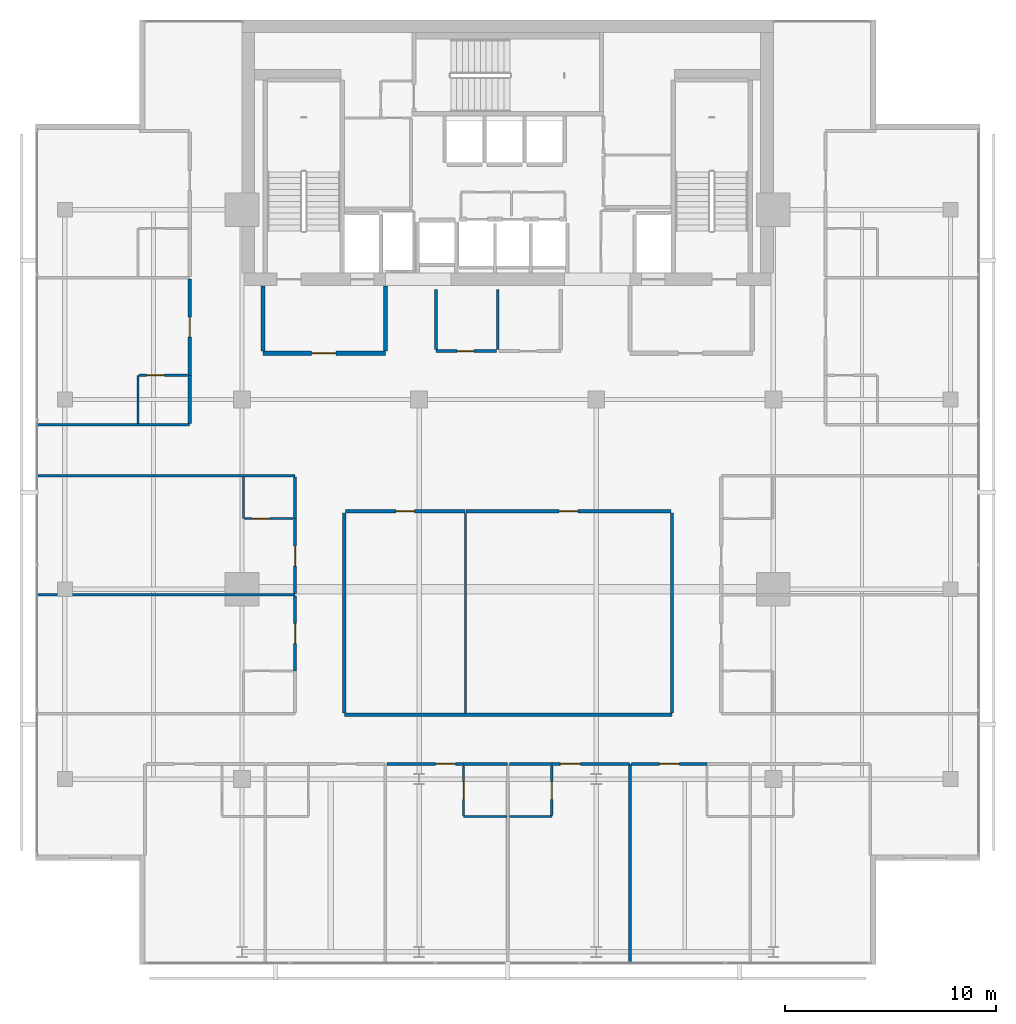
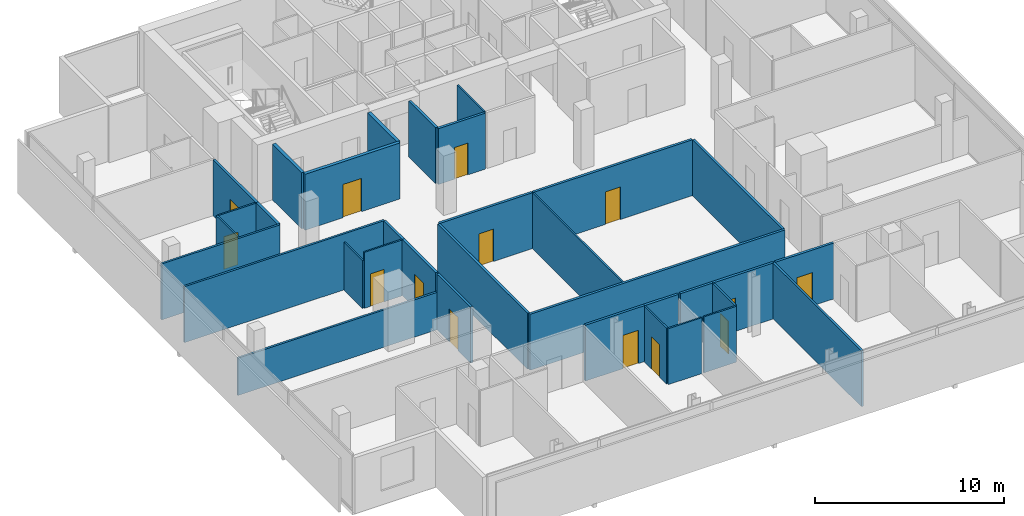
# One storey, part 20 of 26: 34 walls, 14 doors, 14 openings.
"""IFC4 building model written with IfcOpenShell, lengths in metres."""

from ifc_helpers import new_model, si_unit, direction, frame, frame_2d, origin, place, context, subcontext, project, spatial, rectangle, extrude, material, layer, layer_set, type_object, element, fill, save


model = new_model("IFC4")

# Units and contexts
model_context = context("Model", 3, precision=1e-05, world=origin(), true_north=direction((0.0, 1.0)))
body_context = subcontext(model_context, "Body", "Model", "MODEL_VIEW")
ifc_project = project(units=[si_unit("LENGTHUNIT", "METRE"), si_unit("AREAUNIT", "SQUARE_METRE"), si_unit("VOLUMEUNIT", "CUBIC_METRE"), si_unit("PLANEANGLEUNIT", "RADIAN"), si_unit("MASSUNIT", "GRAM", prefix="KILO")], contexts=[model_context])

# Site, building, storey
site_placement = place(None, origin())
site = spatial("IfcSite", under=ifc_project, at=site_placement, CompositionType="ELEMENT")
building_placement = place(site_placement, origin())
building = spatial("IfcBuilding", under=site, at=building_placement, Name="Maruvema Waterfront Hotel and Observation Tower", CompositionType="ELEMENT")
storey_placement = place(building_placement, frame((0.0, 0.0, 243.25)))
storey = spatial("IfcBuildingStorey", under=building, at=storey_placement, Name="L59", CompositionType="ELEMENT", Elevation=243.25)

# Wall, opening, door
ifc_material_1 = material(Name="Twin-stud acoustic gypsum drywall", Category="gypsum")
ifc_layer_1 = layer(ifc_material_1, 0.14990234375, Name="Acoustic Corridor and Suite Demising Wall 150 mm")
ifc_layer_set_1 = layer_set([ifc_layer_1], Name="Twin-stud acoustic gypsum drywall")
wall_type_1 = type_object("IfcWallType", Name="Acoustic Corridor and Suite Demising Wall 150 mm", PredefinedType="PARTITIONING", material=ifc_layer_set_1)
wall_1_placement = place(storey_placement, frame((34.39990234375, 38.300048828125, 0.0), z_axis=(0.0, 0.0, 1.0), x_axis=(1.0, 0.0, 0.0)))
wall_1 = element("IfcWall", 1, at=wall_1_placement, inside=storey, type_object=wall_type_1, Name="L59 Core Apron K2A South 026", PredefinedType="PARTITIONING", context=body_context, shape_type="SweptSolid", body=[
    extrude(rectangle(XDim=2.880126953125, YDim=0.14990234375, at=frame_2d((1.43994140625, 0.0))), origin(), (0.0, 0.0, 1.0), 3.610107421875),
])
opening_1_placement = place(wall_1_placement, frame((1.0, 0.0, 0.0)))
opening_1 = element("IfcOpeningElement", 2, at=opening_1_placement, cuts=wall_1, Name="Opening DR-080", PredefinedType="OPENING", context=body_context, shape_type="SweptSolid", body=[
    extrude(rectangle(XDim=0.800048828125, YDim=2.050048828125, at=frame_2d((0.39990234375, 1.02490234375))), frame((0.0, 0.0849609375, 0.0), z_axis=(0.0, -1.0, 0.0), x_axis=(1.0, 0.0, 0.0)), (0.0, 0.0, 1.0), 0.169921875),
])
ifc_material_2 = material(Name="Powder-coated steel access leaf", Category="steel")
door_type_1 = type_object("IfcDoorType", Name="Riser and Service Cupboard Door 800x2050 mm", OperationType="NOTDEFINED", PredefinedType="DOOR", material=ifc_material_2)
door_1_placement = place(opening_1_placement, frame((0.800048828125, 0.0, 0.0), z_axis=(0.0, 0.0, 1.0), x_axis=(-1.0, 0.0, 0.0)))
door_1 = element("IfcDoor", 3, at=door_1_placement, inside=storey, type_object=door_type_1, Name="L59 Core Ice Alcove Door", OperationType="SINGLE_SWING_RIGHT", OverallHeight=2.050048828125, OverallWidth=0.800048828125, PredefinedType="DOOR", context=body_context, shape_type="SweptSolid", body=[
    extrude(rectangle(XDim=0.800048828125, YDim=2.050048828125, at=frame_2d((0.39990234375, 1.02490234375))), frame((0.0, 0.02490234375, 0.0), z_axis=(0.0, -1.0, 0.0), x_axis=(1.0, 0.0, 0.0)), (0.0, 0.0, 1.0), 0.050048828125),
])
fill(opening_1, door_1)

# Walls
wall_2_placement = place(storey_placement, frame((34.39990234375, 38.3798828125, 0.0), z_axis=(0.0, 0.0, 1.0), x_axis=(0.0, 1.0, 0.0)))
element("IfcWall", 4, at=wall_2_placement, inside=storey, type_object=wall_type_1, Name="L59 Core Apron K2 West 028", PredefinedType="PARTITIONING", context=body_context, shape_type="SweptSolid", body=[
    extrude(rectangle(XDim=2.840087890625, YDim=0.14990234375, at=frame_2d((1.419921875, 0.0))), origin(), (0.0, 0.0, 1.0), 3.610107421875),
])
wall_3_placement = place(storey_placement, frame((30.050048828125, 21.050048828125, 0.0), z_axis=(0.0, 0.0, 1.0), x_axis=(1.0, 0.0, 0.0)))
element("IfcWall", 5, at=wall_3_placement, inside=storey, type_object=wall_type_1, Name="L59 L59-Z3M Back Wall 031", PredefinedType="PARTITIONING", context=body_context, shape_type="SweptSolid", body=[
    extrude(rectangle(XDim=15.550048828125, YDim=0.14990234375, at=frame_2d((7.77490234375, 0.0))), origin(), (0.0, 0.0, 1.0), 3.610107421875),
])
for number, where, z_axis, x_axis, name in (
    (6, (30.050048828125, 21.1298828125, 0.0), (0.0, 0.0, 1.0), (0.0, 1.0, 0.0), "L59 L59-Z3M West Wall 032"),
    (7, (45.60009765625, 21.1298828125, 0.0), (0.0, 0.0, 1.0), (0.0, 1.0, 0.0), "L59 L59-Z3M East Wall 033"),
):
    element("IfcWall", number, at=place(storey_placement, frame(where, z_axis=z_axis, x_axis=x_axis)), inside=storey, type_object=wall_type_1, Name=name, PredefinedType="PARTITIONING", context=body_context, shape_type="SweptSolid", body=[
        extrude(rectangle(XDim=9.490234375, YDim=0.14990234375, at=frame_2d((4.7451171875, 0.0))), origin(), (0.0, 0.0, 1.0), 3.610107421875),
    ])

# Wall, opening, door
wall_4_placement = place(storey_placement, frame((30.110107421875, 30.699951171875, 0.0), z_axis=(0.0, 0.0, 1.0), x_axis=(1.0, 0.0, 0.0)))
wall_4 = element("IfcWall", 8, at=wall_4_placement, inside=storey, type_object=wall_type_1, Name="L59 L59-Z3M Front 1 034", PredefinedType="PARTITIONING", context=body_context, shape_type="SweptSolid", body=[
    extrude(rectangle(XDim=5.663330078125, YDim=0.14990234375, at=frame_2d((2.83154296875, 0.0))), origin(), (0.0, 0.0, 1.0), 3.610107421875),
])
opening_2_placement = place(wall_4_placement, frame((2.381591796875, 0.0, 0.0)))
opening_2 = element("IfcOpeningElement", 9, at=opening_2_placement, cuts=wall_4, Name="Opening DR-090", PredefinedType="OPENING", context=body_context, shape_type="SweptSolid", body=[
    extrude(rectangle(XDim=0.89990234375, YDim=2.10009765625, at=frame_2d((0.449951171875, 1.050048828125))), frame((0.0, 0.0849609375, 0.0), z_axis=(0.0, -1.0, 0.0), x_axis=(1.0, 0.0, 0.0)), (0.0, 0.0, 1.0), 0.169921875),
])
ifc_material_3 = material(Name="Solid-core lacquered timber leaf", Category="wood")
door_type_2 = type_object("IfcDoorType", Name="Accessible Toilet and Room Door 900x2100 mm", OperationType="NOTDEFINED", PredefinedType="DOOR", material=ifc_material_3)
door_2_placement = place(opening_2_placement, origin())
door_2 = element("IfcDoor", 10, at=door_2_placement, inside=storey, type_object=door_type_2, Name="L59 Butler Kitchenette Door", OperationType="SINGLE_SWING_RIGHT", OverallHeight=2.10009765625, OverallWidth=0.89990234375, PredefinedType="DOOR", context=body_context, shape_type="SweptSolid", body=[
    extrude(rectangle(XDim=0.89990234375, YDim=2.10009765625, at=frame_2d((0.449951171875, 1.050048828125))), frame((0.0, 0.02490234375, 0.0), z_axis=(0.0, -1.0, 0.0), x_axis=(1.0, 0.0, 0.0)), (0.0, 0.0, 1.0), 0.050048828125),
])
fill(opening_2, door_2)

wall_5_placement = place(storey_placement, frame((35.83349609375, 30.699951171875, 0.0), z_axis=(0.0, 0.0, 1.0), x_axis=(1.0, 0.0, 0.0)))
wall_5 = element("IfcWall", 11, at=wall_5_placement, inside=storey, type_object=wall_type_1, Name="L59 L59-Z3M Front 2 036", PredefinedType="PARTITIONING", context=body_context, shape_type="SweptSolid", body=[
    extrude(rectangle(XDim=9.70654296875, YDim=0.14990234375, at=frame_2d((4.853271484375, 0.0))), origin(), (0.0, 0.0, 1.0), 3.610107421875),
])
opening_3_placement = place(wall_5_placement, frame((4.4033203125, 0.0, 0.0)))
opening_3 = element("IfcOpeningElement", 12, at=opening_3_placement, cuts=wall_5, Name="Opening DR-090", PredefinedType="OPENING", context=body_context, shape_type="SweptSolid", body=[
    extrude(rectangle(XDim=0.89990234375, YDim=2.10009765625, at=frame_2d((0.449951171875, 1.050048828125))), frame((0.0, 0.0849609375, 0.0), z_axis=(0.0, -1.0, 0.0), x_axis=(1.0, 0.0, 0.0)), (0.0, 0.0, 1.0), 0.169921875),
])
door_3_placement = place(opening_3_placement, origin())
door_3 = element("IfcDoor", 13, at=door_3_placement, inside=storey, type_object=door_type_2, Name="L59 Business Office 1 Door", OperationType="SINGLE_SWING_LEFT", OverallHeight=2.10009765625, OverallWidth=0.89990234375, PredefinedType="DOOR", context=body_context, shape_type="SweptSolid", body=[
    extrude(rectangle(XDim=0.89990234375, YDim=2.10009765625, at=frame_2d((0.449951171875, 1.050048828125))), frame((0.0, 0.02490234375, 0.0), z_axis=(0.0, -1.0, 0.0), x_axis=(1.0, 0.0, 0.0)), (0.0, 0.0, 1.0), 0.050048828125),
])
fill(opening_3, door_3)

# Wall
wall_6_placement = place(storey_placement, frame((35.7099609375, 18.719970703125, 0.0), z_axis=(0.0, 0.0, 1.0), x_axis=(1.0, 0.0, 0.0)))
element("IfcWall", 14, at=wall_6_placement, inside=storey, type_object=wall_type_1, Name="L59 Bath L59-S3 Back Wall 049", PredefinedType="PARTITIONING", context=body_context, shape_type="SweptSolid", body=[
    extrude(rectangle(XDim=2.070068359375, YDim=0.14990234375, at=frame_2d((1.03515625, 0.0))), origin(), (0.0, 0.0, 1.0), 3.610107421875),
])

# Wall, opening, door
wall_7_placement = place(storey_placement, frame((32.080078125, 18.719970703125, 0.0), z_axis=(0.0, 0.0, 1.0), x_axis=(1.0, 0.0, 0.0)))
wall_7 = element("IfcWall", 15, at=wall_7_placement, inside=storey, type_object=wall_type_1, Name="L59 Unit L59-S3 Corridor Wall 052", PredefinedType="PARTITIONING", context=body_context, shape_type="SweptSolid", body=[
    extrude(rectangle(XDim=3.6298828125, YDim=0.14990234375, at=frame_2d((1.81494140625, 0.0))), origin(), (0.0, 0.0, 1.0), 3.610107421875),
])
opening_4_placement = place(wall_7_placement, frame((2.300048828125, 0.0, 0.0)))
opening_4 = element("IfcOpeningElement", 16, at=opening_4_placement, cuts=wall_7, Name="Opening DR-095", PredefinedType="OPENING", context=body_context, shape_type="SweptSolid", body=[
    extrude(rectangle(XDim=0.949951171875, YDim=2.14990234375, at=frame_2d((0.47509765625, 1.074951171875))), frame((0.0, 0.0849609375, 0.0), z_axis=(0.0, -1.0, 0.0), x_axis=(1.0, 0.0, 0.0)), (0.0, 0.0, 1.0), 0.169921875),
])
ifc_material_4 = material(Name="Acoustic solid-core hardwood timber leaf", Category="wood")
door_type_3 = type_object("IfcDoorType", Name="Guestroom Entrance Fire Door 950x2150 mm", OperationType="NOTDEFINED", PredefinedType="DOOR", material=ifc_material_4)
door_4_placement = place(opening_4_placement, frame((0.949951171875, 0.0, 0.0), z_axis=(0.0, 0.0, 1.0), x_axis=(-1.0, 0.0, 0.0)))
door_4 = element("IfcDoor", 17, at=door_4_placement, inside=storey, type_object=door_type_3, Name="L59 Unit L59-S3 Entrance Door", OperationType="SINGLE_SWING_LEFT", OverallHeight=2.14990234375, OverallWidth=0.949951171875, PredefinedType="DOOR", context=body_context, shape_type="SweptSolid", body=[
    extrude(rectangle(XDim=0.949951171875, YDim=2.14990234375, at=frame_2d((0.47509765625, 1.074951171875))), frame((0.0, 0.02490234375, 0.0), z_axis=(0.0, -1.0, 0.0), x_axis=(1.0, 0.0, 0.0)), (0.0, 0.0, 1.0), 0.050048828125),
])
fill(opening_4, door_4)

# Wall
wall_8_placement = place(storey_placement, frame((37.8798828125, 18.719970703125, 0.0), z_axis=(0.0, 0.0, 1.0), x_axis=(1.0, 0.0, 0.0)))
element("IfcWall", 18, at=wall_8_placement, inside=storey, type_object=wall_type_1, Name="L59 Bath L59-S4 Back Wall 054", PredefinedType="PARTITIONING", context=body_context, shape_type="SweptSolid", body=[
    extrude(rectangle(XDim=2.010009765625, YDim=0.14990234375, at=frame_2d((1.0048828125, 0.0))), origin(), (0.0, 0.0, 1.0), 3.610107421875),
])

# Wall, opening, door
wall_9_placement = place(storey_placement, frame((39.889892578125, 18.719970703125, 0.0), z_axis=(0.0, 0.0, 1.0), x_axis=(1.0, 0.0, 0.0)))
wall_9 = element("IfcWall", 19, at=wall_9_placement, inside=storey, type_object=wall_type_1, Name="L59 Unit L59-S4 Corridor Wall 057", PredefinedType="PARTITIONING", context=body_context, shape_type="SweptSolid", body=[
    extrude(rectangle(XDim=3.690185546875, YDim=0.14990234375, at=frame_2d((1.84521484375, 0.0))), origin(), (0.0, 0.0, 1.0), 3.610107421875),
])
opening_5_placement = place(wall_9_placement, frame((0.409912109375, 0.0, 0.0)))
opening_5 = element("IfcOpeningElement", 20, at=opening_5_placement, cuts=wall_9, Name="Opening DR-095", PredefinedType="OPENING", context=body_context, shape_type="SweptSolid", body=[
    extrude(rectangle(XDim=0.949951171875, YDim=2.14990234375, at=frame_2d((0.47509765625, 1.074951171875))), frame((0.0, 0.0849609375, 0.0), z_axis=(0.0, -1.0, 0.0), x_axis=(1.0, 0.0, 0.0)), (0.0, 0.0, 1.0), 0.169921875),
])
door_5_placement = place(opening_5_placement, frame((0.949951171875, 0.0, 0.0), z_axis=(0.0, 0.0, 1.0), x_axis=(-1.0, 0.0, 0.0)))
door_5 = element("IfcDoor", 21, at=door_5_placement, inside=storey, type_object=door_type_3, Name="L59 Unit L59-S4 Entrance Door", OperationType="SINGLE_SWING_LEFT", OverallHeight=2.14990234375, OverallWidth=0.949951171875, PredefinedType="DOOR", context=body_context, shape_type="SweptSolid", body=[
    extrude(rectangle(XDim=0.949951171875, YDim=2.14990234375, at=frame_2d((0.47509765625, 1.074951171875))), frame((0.0, 0.02490234375, 0.0), z_axis=(0.0, -1.0, 0.0), x_axis=(1.0, 0.0, 0.0)), (0.0, 0.0, 1.0), 0.050048828125),
])
fill(opening_5, door_5)

wall_10_placement = place(storey_placement, frame((43.679931640625, 18.719970703125, 0.0), z_axis=(0.0, 0.0, 1.0), x_axis=(1.0, 0.0, 0.0)))
wall_10 = element("IfcWall", 22, at=wall_10_placement, inside=storey, type_object=wall_type_1, Name="L59 Unit L59-S5 Corridor Wall 062", PredefinedType="PARTITIONING", context=body_context, shape_type="SweptSolid", body=[
    extrude(rectangle(XDim=3.570068359375, YDim=0.14990234375, at=frame_2d((1.78515625, 0.0))), origin(), (0.0, 0.0, 1.0), 3.610107421875),
])
opening_6_placement = place(wall_10_placement, frame((1.31005859375, 0.0, 0.0)))
opening_6 = element("IfcOpeningElement", 23, at=opening_6_placement, cuts=wall_10, Name="Opening DR-095", PredefinedType="OPENING", context=body_context, shape_type="SweptSolid", body=[
    extrude(rectangle(XDim=0.949951171875, YDim=2.14990234375, at=frame_2d((0.47509765625, 1.074951171875))), frame((0.0, 0.0849609375, 0.0), z_axis=(0.0, -1.0, 0.0), x_axis=(1.0, 0.0, 0.0)), (0.0, 0.0, 1.0), 0.169921875),
])
door_6_placement = place(opening_6_placement, frame((0.949951171875, 0.0, 0.0), z_axis=(0.0, 0.0, 1.0), x_axis=(-1.0, 0.0, 0.0)))
door_6 = element("IfcDoor", 24, at=door_6_placement, inside=storey, type_object=door_type_3, Name="L59 Unit L59-S5 Entrance Door", OperationType="SINGLE_SWING_LEFT", OverallHeight=2.14990234375, OverallWidth=0.949951171875, PredefinedType="DOOR", context=body_context, shape_type="SweptSolid", body=[
    extrude(rectangle(XDim=0.949951171875, YDim=2.14990234375, at=frame_2d((0.47509765625, 1.074951171875))), frame((0.0, 0.02490234375, 0.0), z_axis=(0.0, -1.0, 0.0), x_axis=(1.0, 0.0, 0.0)), (0.0, 0.0, 1.0), 0.050048828125),
])
fill(opening_6, door_6)

wall_11_placement = place(storey_placement, frame((27.719970703125, 23.1298828125, 0.0), z_axis=(0.0, 0.0, 1.0), x_axis=(0.0, 1.0, 0.0)))
wall_11 = element("IfcWall", 25, at=wall_11_placement, inside=storey, type_object=wall_type_1, Name="L59 Room L59-W1 Corridor Wall 073", PredefinedType="PARTITIONING", context=body_context, shape_type="SweptSolid", body=[
    extrude(rectangle(XDim=3.550048828125, YDim=0.14990234375, at=frame_2d((1.77490234375, 0.0))), origin(), (0.0, 0.0, 1.0), 3.610107421875),
])
opening_7_placement = place(wall_11_placement, frame((1.300048828125, 0.0, 0.0)))
opening_7 = element("IfcOpeningElement", 26, at=opening_7_placement, cuts=wall_11, Name="Opening DR-095", PredefinedType="OPENING", context=body_context, shape_type="SweptSolid", body=[
    extrude(rectangle(XDim=0.949951171875, YDim=2.14990234375, at=frame_2d((0.47509765625, 1.074951171875))), frame((0.0, 0.0849609375, 0.0), z_axis=(0.0, -1.0, 0.0), x_axis=(1.0, 0.0, 0.0)), (0.0, 0.0, 1.0), 0.169921875),
])
door_7_placement = place(opening_7_placement, origin())
door_7 = element("IfcDoor", 27, at=door_7_placement, inside=storey, type_object=door_type_3, Name="L59 Room L59-W1 Entrance Door", OperationType="SINGLE_SWING_LEFT", OverallHeight=2.14990234375, OverallWidth=0.949951171875, PredefinedType="DOOR", context=body_context, shape_type="SweptSolid", body=[
    extrude(rectangle(XDim=0.949951171875, YDim=2.14990234375, at=frame_2d((0.47509765625, 1.074951171875))), frame((0.0, 0.02490234375, 0.0), z_axis=(0.0, -1.0, 0.0), x_axis=(1.0, 0.0, 0.0)), (0.0, 0.0, 1.0), 0.050048828125),
])
fill(opening_7, door_7)

wall_12_placement = place(storey_placement, frame((27.719970703125, 26.800048828125, 0.0), z_axis=(0.0, 0.0, 1.0), x_axis=(0.0, 1.0, 0.0)))
wall_12 = element("IfcWall", 28, at=wall_12_placement, inside=storey, type_object=wall_type_1, Name="L59 Room L59-W2 Corridor Wall 082", PredefinedType="PARTITIONING", context=body_context, shape_type="SweptSolid", body=[
    extrude(rectangle(XDim=3.550048828125, YDim=0.14990234375, at=frame_2d((1.77490234375, 0.0))), origin(), (0.0, 0.0, 1.0), 3.610107421875),
])
opening_8_placement = place(wall_12_placement, frame((1.300048828125, 0.0, 0.0)))
opening_8 = element("IfcOpeningElement", 29, at=opening_8_placement, cuts=wall_12, Name="Opening DR-095", PredefinedType="OPENING", context=body_context, shape_type="SweptSolid", body=[
    extrude(rectangle(XDim=0.949951171875, YDim=2.14990234375, at=frame_2d((0.47509765625, 1.074951171875))), frame((0.0, 0.0849609375, 0.0), z_axis=(0.0, -1.0, 0.0), x_axis=(1.0, 0.0, 0.0)), (0.0, 0.0, 1.0), 0.169921875),
])
door_8_placement = place(opening_8_placement, origin())
door_8 = element("IfcDoor", 30, at=door_8_placement, inside=storey, type_object=door_type_3, Name="L59 Room L59-W2 Entrance Door", OperationType="SINGLE_SWING_LEFT", OverallHeight=2.14990234375, OverallWidth=0.949951171875, PredefinedType="DOOR", context=body_context, shape_type="SweptSolid", body=[
    extrude(rectangle(XDim=0.949951171875, YDim=2.14990234375, at=frame_2d((0.47509765625, 1.074951171875))), frame((0.0, 0.02490234375, 0.0), z_axis=(0.0, -1.0, 0.0), x_axis=(1.0, 0.0, 0.0)), (0.0, 0.0, 1.0), 0.050048828125),
])
fill(opening_8, door_8)

# Walls
wall_13_placement = place(storey_placement, frame((27.719970703125, 30.35009765625, 0.0), z_axis=(0.0, 0.0, 1.0), x_axis=(0.0, 1.0, 0.0)))
element("IfcWall", 31, at=wall_13_placement, inside=storey, type_object=wall_type_1, Name="L59 Bath L59-W2 Wall 083", PredefinedType="PARTITIONING", context=body_context, shape_type="SweptSolid", body=[
    extrude(rectangle(XDim=1.969970703125, YDim=0.14990234375, at=frame_2d((0.98486328125, 0.0))), origin(), (0.0, 0.0, 1.0), 3.610107421875),
])
wall_14_placement = place(storey_placement, frame((22.719970703125, 34.860107421875, 0.0), z_axis=(0.0, 0.0, 1.0), x_axis=(0.0, 1.0, 0.0)))
element("IfcWall", 32, at=wall_14_placement, inside=storey, type_object=wall_type_1, Name="L59 Bath L59-NW1 Wall 094", PredefinedType="PARTITIONING", context=body_context, shape_type="SweptSolid", body=[
    extrude(rectangle(XDim=2.289794921875, YDim=0.14990234375, at=frame_2d((1.14501953125, 0.0))), origin(), (0.0, 0.0, 1.0), 3.610107421875),
])

# Wall, opening, door
wall_15_placement = place(storey_placement, frame((22.719970703125, 37.14990234375, 0.0), z_axis=(0.0, 0.0, 1.0), x_axis=(0.0, 1.0, 0.0)))
wall_15 = element("IfcWall", 33, at=wall_15_placement, inside=storey, type_object=wall_type_1, Name="L59 Room L59-NW1 Corridor Wall 095", PredefinedType="PARTITIONING", context=body_context, shape_type="SweptSolid", body=[
    extrude(rectangle(XDim=4.558837890625, YDim=0.14990234375, at=frame_2d((2.279296875, 0.0))), origin(), (0.0, 0.0, 1.0), 3.610107421875),
])
opening_9_placement = place(wall_15_placement, frame((1.804443359375, 0.0, 0.0)))
opening_9 = element("IfcOpeningElement", 34, at=opening_9_placement, cuts=wall_15, Name="Opening DR-095", PredefinedType="OPENING", context=body_context, shape_type="SweptSolid", body=[
    extrude(rectangle(XDim=0.949951171875, YDim=2.14990234375, at=frame_2d((0.47509765625, 1.074951171875))), frame((0.0, 0.0849609375, 0.0), z_axis=(0.0, -1.0, 0.0), x_axis=(1.0, 0.0, 0.0)), (0.0, 0.0, 1.0), 0.169921875),
])
door_9_placement = place(opening_9_placement, origin())
door_9 = element("IfcDoor", 35, at=door_9_placement, inside=storey, type_object=door_type_3, Name="L59 Room L59-NW1 Entrance Door", OperationType="SINGLE_SWING_LEFT", OverallHeight=2.14990234375, OverallWidth=0.949951171875, PredefinedType="DOOR", context=body_context, shape_type="SweptSolid", body=[
    extrude(rectangle(XDim=0.949951171875, YDim=2.14990234375, at=frame_2d((0.47509765625, 1.074951171875))), frame((0.0, 0.02490234375, 0.0), z_axis=(0.0, -1.0, 0.0), x_axis=(1.0, 0.0, 0.0)), (0.0, 0.0, 1.0), 0.050048828125),
])
fill(opening_9, door_9)

# Walls
ifc_material_5 = material(Name="Moisture-resistant cement-board drywall", Category="gypsum")
ifc_layer_2 = layer(ifc_material_5, 0.10009765625, Name="En-Suite Moisture-Resistant Partition 100 mm")
ifc_layer_set_2 = layer_set([ifc_layer_2], Name="Moisture-resistant cement-board drywall")
wall_type_2 = type_object("IfcWallType", Name="En-Suite Moisture-Resistant Partition 100 mm", PredefinedType="PARTITIONING", material=ifc_layer_set_2)
wall_16_placement = place(storey_placement, frame((37.330078125, 38.3798828125, 0.0), z_axis=(0.0, 0.0, 1.0), x_axis=(0.0, 1.0, 0.0)))
element("IfcWall", 36, at=wall_16_placement, inside=storey, type_object=wall_type_2, Name="L59 Core Apron K2 Split 029", PredefinedType="PARTITIONING", context=body_context, shape_type="SweptSolid", body=[
    extrude(rectangle(XDim=2.840087890625, YDim=0.10009765625, at=frame_2d((1.419921875, 0.0))), origin(), (0.0, 0.0, 1.0), 3.610107421875),
])
wall_17_placement = place(storey_placement, frame((35.803466796875, 21.1298828125, 0.0), z_axis=(0.0, 0.0, 1.0), x_axis=(0.0, 1.0, 0.0)))
element("IfcWall", 37, at=wall_17_placement, inside=storey, type_object=wall_type_2, Name="L59 L59-Z3M Split 1 035", PredefinedType="PARTITIONING", context=body_context, shape_type="SweptSolid", body=[
    extrude(rectangle(XDim=9.490234375, YDim=0.10009765625, at=frame_2d((4.7451171875, 0.0))), origin(), (0.0, 0.0, 1.0), 3.610107421875),
])
wall_18_placement = place(storey_placement, frame((35.7099609375, 16.219970703125, 0.0), z_axis=(0.0, 0.0, 1.0), x_axis=(1.0, 0.0, 0.0)))
element("IfcWall", 38, at=wall_18_placement, inside=storey, type_object=wall_type_2, Name="L59 En-Suite L59-S3 South 050", PredefinedType="PARTITIONING", context=body_context, shape_type="SweptSolid", body=[
    extrude(rectangle(XDim=2.050048828125, YDim=0.10009765625, at=frame_2d((1.02490234375, 0.0))), origin(), (0.0, 0.0, 1.0), 3.610107421875),
])

# Wall, opening, door
wall_19_placement = place(storey_placement, frame((35.7099609375, 16.280029296875, 0.0), z_axis=(0.0, 0.0, 1.0), x_axis=(0.0, 1.0, 0.0)))
wall_19 = element("IfcWall", 39, at=wall_19_placement, inside=storey, type_object=wall_type_2, Name="L59 En-Suite L59-S3 West 051", PredefinedType="PARTITIONING", context=body_context, shape_type="SweptSolid", body=[
    extrude(rectangle(XDim=2.340087890625, YDim=0.10009765625, at=frame_2d((1.169921875, 0.0))), origin(), (0.0, 0.0, 1.0), 3.610107421875),
])
opening_10_placement = place(wall_19_placement, frame((0.7451171875, 0.0, 0.0)))
opening_10 = element("IfcOpeningElement", 40, at=opening_10_placement, cuts=wall_19, Name="Opening DR-085", PredefinedType="OPENING", context=body_context, shape_type="SweptSolid", body=[
    extrude(rectangle(XDim=0.85009765625, YDim=2.10009765625, at=frame_2d((0.425048828125, 1.050048828125))), frame((0.0, 0.06005859375, 0.0), z_axis=(0.0, -1.0, 0.0), x_axis=(1.0, 0.0, 0.0)), (0.0, 0.0, 1.0), 0.1201171875),
])
ifc_material_6 = material(Name="Moisture-resistant solid timber leaf", Category="wood")
door_type_4 = type_object("IfcDoorType", Name="En-Suite Bathroom Door 850x2100 mm", OperationType="NOTDEFINED", PredefinedType="DOOR", material=ifc_material_6)
door_10_placement = place(opening_10_placement, origin())
door_10 = element("IfcDoor", 41, at=door_10_placement, inside=storey, type_object=door_type_4, Name="L59 En-Suite L59-S3 Door", OperationType="SINGLE_SWING_RIGHT", OverallHeight=2.10009765625, OverallWidth=0.85009765625, PredefinedType="DOOR", context=body_context, shape_type="SweptSolid", body=[
    extrude(rectangle(XDim=0.85009765625, YDim=2.10009765625, at=frame_2d((0.425048828125, 1.050048828125))), frame((0.0, 0.02490234375, 0.0), z_axis=(0.0, -1.0, 0.0), x_axis=(1.0, 0.0, 0.0)), (0.0, 0.0, 1.0), 0.050048828125),
])
fill(opening_10, door_10)

# Wall
wall_20_placement = place(storey_placement, frame((37.8798828125, 16.219970703125, 0.0), z_axis=(0.0, 0.0, 1.0), x_axis=(1.0, 0.0, 0.0)))
element("IfcWall", 42, at=wall_20_placement, inside=storey, type_object=wall_type_2, Name="L59 En-Suite L59-S4 South 055", PredefinedType="PARTITIONING", context=body_context, shape_type="SweptSolid", body=[
    extrude(rectangle(XDim=2.010009765625, YDim=0.10009765625, at=frame_2d((1.0048828125, 0.0))), origin(), (0.0, 0.0, 1.0), 3.610107421875),
])

# Wall, opening, door
wall_21_placement = place(storey_placement, frame((39.889892578125, 16.280029296875, 0.0), z_axis=(0.0, 0.0, 1.0), x_axis=(0.0, 1.0, 0.0)))
wall_21 = element("IfcWall", 43, at=wall_21_placement, inside=storey, type_object=wall_type_2, Name="L59 En-Suite L59-S4 East 056", PredefinedType="PARTITIONING", context=body_context, shape_type="SweptSolid", body=[
    extrude(rectangle(XDim=2.340087890625, YDim=0.10009765625, at=frame_2d((1.169921875, 0.0))), origin(), (0.0, 0.0, 1.0), 3.610107421875),
])
opening_11_placement = place(wall_21_placement, frame((0.7451171875, 0.0, 0.0)))
opening_11 = element("IfcOpeningElement", 44, at=opening_11_placement, cuts=wall_21, Name="Opening DR-085", PredefinedType="OPENING", context=body_context, shape_type="SweptSolid", body=[
    extrude(rectangle(XDim=0.85009765625, YDim=2.10009765625, at=frame_2d((0.425048828125, 1.050048828125))), frame((0.0, 0.06005859375, 0.0), z_axis=(0.0, -1.0, 0.0), x_axis=(1.0, 0.0, 0.0)), (0.0, 0.0, 1.0), 0.1201171875),
])
door_11_placement = place(opening_11_placement, frame((0.85009765625, 0.0, 0.0), z_axis=(0.0, 0.0, 1.0), x_axis=(-1.0, 0.0, 0.0)))
door_11 = element("IfcDoor", 45, at=door_11_placement, inside=storey, type_object=door_type_4, Name="L59 En-Suite L59-S4 Door", OperationType="SINGLE_SWING_RIGHT", OverallHeight=2.10009765625, OverallWidth=0.85009765625, PredefinedType="DOOR", context=body_context, shape_type="SweptSolid", body=[
    extrude(rectangle(XDim=0.85009765625, YDim=2.10009765625, at=frame_2d((0.425048828125, 1.050048828125))), frame((0.0, 0.02490234375, 0.0), z_axis=(0.0, -1.0, 0.0), x_axis=(1.0, 0.0, 0.0)), (0.0, 0.0, 1.0), 0.050048828125),
])
fill(opening_11, door_11)

# Wall
wall_22_placement = place(storey_placement, frame((25.27001953125, 30.35009765625, 0.0), z_axis=(0.0, 0.0, 1.0), x_axis=(0.0, 1.0, 0.0)))
element("IfcWall", 46, at=wall_22_placement, inside=storey, type_object=wall_type_2, Name="L59 En-Suite L59-W2 W 084", PredefinedType="PARTITIONING", context=body_context, shape_type="SweptSolid", body=[
    extrude(rectangle(XDim=1.969970703125, YDim=0.10009765625, at=frame_2d((0.98486328125, 0.0))), origin(), (0.0, 0.0, 1.0), 3.076904296875),
])

# Wall, opening, door
wall_23_placement = place(storey_placement, frame((25.320068359375, 30.35009765625, 0.0), z_axis=(0.0, 0.0, 1.0), x_axis=(1.0, 0.0, 0.0)))
wall_23 = element("IfcWall", 47, at=wall_23_placement, inside=storey, type_object=wall_type_2, Name="L59 En-Suite L59-W2 S 085", PredefinedType="PARTITIONING", context=body_context, shape_type="SweptSolid", body=[
    extrude(rectangle(XDim=2.300048828125, YDim=0.10009765625, at=frame_2d((1.14990234375, 0.0))), origin(), (0.0, 0.0, 1.0), 3.610107421875),
])
opening_12_placement = place(wall_23_placement, frame((0.35009765625, 0.0, 0.0)))
opening_12 = element("IfcOpeningElement", 48, at=opening_12_placement, cuts=wall_23, Name="Opening DR-085", PredefinedType="OPENING", context=body_context, shape_type="SweptSolid", body=[
    extrude(rectangle(XDim=0.85009765625, YDim=2.10009765625, at=frame_2d((0.425048828125, 1.050048828125))), frame((0.0, 0.06005859375, 0.0), z_axis=(0.0, -1.0, 0.0), x_axis=(1.0, 0.0, 0.0)), (0.0, 0.0, 1.0), 0.1201171875),
])
door_12_placement = place(opening_12_placement, frame((0.85009765625, 0.0, 0.0), z_axis=(0.0, 0.0, 1.0), x_axis=(-1.0, 0.0, 0.0)))
door_12 = element("IfcDoor", 49, at=door_12_placement, inside=storey, type_object=door_type_4, Name="L59 En-Suite L59-W2 Door", OperationType="SINGLE_SWING_RIGHT", OverallHeight=2.10009765625, OverallWidth=0.85009765625, PredefinedType="DOOR", context=body_context, shape_type="SweptSolid", body=[
    extrude(rectangle(XDim=0.85009765625, YDim=2.10009765625, at=frame_2d((0.425048828125, 1.050048828125))), frame((0.0, 0.02490234375, 0.0), z_axis=(0.0, -1.0, 0.0), x_axis=(1.0, 0.0, 0.0)), (0.0, 0.0, 1.0), 0.050048828125),
])
fill(opening_12, door_12)

# Wall
wall_24_placement = place(storey_placement, frame((20.27001953125, 34.860107421875, 0.0), z_axis=(0.0, 0.0, 1.0), x_axis=(0.0, 1.0, 0.0)))
element("IfcWall", 50, at=wall_24_placement, inside=storey, type_object=wall_type_2, Name="L59 En-Suite L59-NW1 W 096", PredefinedType="PARTITIONING", context=body_context, shape_type="SweptSolid", body=[
    extrude(rectangle(XDim=2.289794921875, YDim=0.10009765625, at=frame_2d((1.14501953125, 0.0))), origin(), (0.0, 0.0, 1.0), 3.610107421875),
])

# Wall, opening, door
wall_25_placement = place(storey_placement, frame((20.320068359375, 37.14990234375, 0.0), z_axis=(0.0, 0.0, 1.0), x_axis=(1.0, 0.0, 0.0)))
wall_25 = element("IfcWall", 51, at=wall_25_placement, inside=storey, type_object=wall_type_2, Name="L59 En-Suite L59-NW1 N 097", PredefinedType="PARTITIONING", context=body_context, shape_type="SweptSolid", body=[
    extrude(rectangle(XDim=2.300048828125, YDim=0.10009765625, at=frame_2d((1.14990234375, 0.0))), origin(), (0.0, 0.0, 1.0), 3.610107421875),
])
opening_13_placement = place(wall_25_placement, frame((0.35009765625, 0.0, 0.0)))
opening_13 = element("IfcOpeningElement", 52, at=opening_13_placement, cuts=wall_25, Name="Opening DR-085", PredefinedType="OPENING", context=body_context, shape_type="SweptSolid", body=[
    extrude(rectangle(XDim=0.85009765625, YDim=2.10009765625, at=frame_2d((0.425048828125, 1.050048828125))), frame((0.0, 0.06005859375, 0.0), z_axis=(0.0, -1.0, 0.0), x_axis=(1.0, 0.0, 0.0)), (0.0, 0.0, 1.0), 0.1201171875),
])
door_13_placement = place(opening_13_placement, origin())
door_13 = element("IfcDoor", 53, at=door_13_placement, inside=storey, type_object=door_type_4, Name="L59 En-Suite L59-NW1 Door", OperationType="SINGLE_SWING_RIGHT", OverallHeight=2.10009765625, OverallWidth=0.85009765625, PredefinedType="DOOR", context=body_context, shape_type="SweptSolid", body=[
    extrude(rectangle(XDim=0.85009765625, YDim=2.10009765625, at=frame_2d((0.425048828125, 1.050048828125))), frame((0.0, 0.02490234375, 0.0), z_axis=(0.0, -1.0, 0.0), x_axis=(1.0, 0.0, 0.0)), (0.0, 0.0, 1.0), 0.050048828125),
])
fill(opening_13, door_13)

ifc_material_7 = material(Name="Autoclaved cellular concrete blockwork", Category="masonry")
ifc_layer_3 = layer(ifc_material_7, 0.199951171875, Name="Fire Compartment Masonry Wall 200 mm")
ifc_layer_set_3 = layer_set([ifc_layer_3], Name="Autoclaved cellular concrete blockwork")
wall_type_3 = type_object("IfcWallType", Name="Fire Compartment Masonry Wall 200 mm", PredefinedType="PARTITIONING", material=ifc_layer_set_3)
wall_26_placement = place(storey_placement, frame((26.199951171875, 38.199951171875, 0.0), z_axis=(0.0, 0.0, 1.0), x_axis=(1.0, 0.0, 0.0)))
wall_26 = element("IfcWall", 54, at=wall_26_placement, inside=storey, type_object=wall_type_3, Name="L59 FFL West South Wall 001", PredefinedType="PARTITIONING", context=body_context, shape_type="SweptSolid", body=[
    extrude(rectangle(XDim=5.800048828125, YDim=0.199951171875, at=frame_2d((2.89990234375, 0.0))), origin(), (0.0, 0.0, 1.0), 3.610107421875),
])
opening_14_placement = place(wall_26_placement, frame((2.300048828125, 0.0, 0.0)))
opening_14 = element("IfcOpeningElement", 55, at=opening_14_placement, cuts=wall_26, Name="Opening FD-115", PredefinedType="OPENING", context=body_context, shape_type="SweptSolid", body=[
    extrude(rectangle(XDim=1.14990234375, YDim=2.14990234375, at=frame_2d((0.574951171875, 1.074951171875))), frame((0.0, 0.10986328125, 0.0), z_axis=(0.0, -1.0, 0.0), x_axis=(1.0, 0.0, 0.0)), (0.0, 0.0, 1.0), 0.219970703125),
])
ifc_material_8 = material(Name="Fire-rated galvanised steel and vision glass", Category="steel")
door_type_5 = type_object("IfcDoorType", Name="Firefighting Lobby Fire Door 1150x2150 mm", OperationType="NOTDEFINED", PredefinedType="DOOR", material=ifc_material_8)
door_14_placement = place(opening_14_placement, frame((1.14990234375, 0.0, 0.0), z_axis=(0.0, 0.0, 1.0), x_axis=(-1.0, 0.0, 0.0)))
door_14 = element("IfcDoor", 56, at=door_14_placement, inside=storey, type_object=door_type_5, Name="L59 Firefighting Lobby West Door", OperationType="SINGLE_SWING_RIGHT", OverallHeight=2.14990234375, OverallWidth=1.14990234375, PredefinedType="DOOR", context=body_context, shape_type="SweptSolid", body=[
    extrude(rectangle(XDim=1.14990234375, YDim=2.14990234375, at=frame_2d((0.574951171875, 1.074951171875))), frame((0.0, 0.02490234375, 0.0), z_axis=(0.0, -1.0, 0.0), x_axis=(1.0, 0.0, 0.0)), (0.0, 0.0, 1.0), 0.050048828125),
])
fill(opening_14, door_14)

# Walls
for number, where, z_axis, x_axis, name in (
    (57, (26.199951171875, 38.31005859375, 0.0), (0.0, 0.0, 1.0), (0.0, 1.0, 0.0), "L59 FFL West West Wall 002"),
    (58, (32.0, 38.31005859375, 0.0), (0.0, 0.0, 1.0), (0.0, 1.0, 0.0), "L59 FFL West East Wall 003"),
):
    element("IfcWall", number, at=place(storey_placement, frame(where, z_axis=z_axis, x_axis=x_axis)), inside=storey, type_object=wall_type_3, Name=name, PredefinedType="PARTITIONING", context=body_context, shape_type="SweptSolid", body=[
        extrude(rectangle(XDim=3.06982421875, YDim=0.199951171875, at=frame_2d((1.534912109375, 0.0))), origin(), (0.0, 0.0, 1.0), 3.610107421875),
    ])
ifc_material_9 = material(Name="Acoustic gypsum plasterboard drywall", Category="gypsum")
ifc_layer_4 = layer(ifc_material_9, 0.125, Name="Guestroom Acoustic Demising Wall 125 mm")
ifc_layer_set_4 = layer_set([ifc_layer_4], Name="Acoustic gypsum plasterboard drywall")
wall_type_4 = type_object("IfcWallType", Name="Guestroom Acoustic Demising Wall 125 mm", PredefinedType="PARTITIONING", material=ifc_layer_set_4)
wall_27_placement = place(storey_placement, frame((43.60009765625, 9.300048828125, 0.0), z_axis=(0.0, 0.0, 1.0), x_axis=(0.0, 1.0, 0.0)))
element("IfcWall", 59, at=wall_27_placement, inside=storey, type_object=wall_type_4, Name="L59 Z3 S Demising 5 058", PredefinedType="PARTITIONING", context=body_context, shape_type="SweptSolid", body=[
    extrude(rectangle(XDim=9.419921875, YDim=0.125, at=frame_2d((4.7099609375, 0.0))), origin(), (0.0, 0.0, 1.0), 3.610107421875),
])
wall_28_placement = place(storey_placement, frame((15.5, 32.3798828125, 0.0), z_axis=(0.0, 0.0, 1.0), x_axis=(1.0, 0.0, 0.0)))
element("IfcWall", 60, at=wall_28_placement, inside=storey, type_object=wall_type_4, Name="L59 Z3 W Top End 070", PredefinedType="PARTITIONING", context=body_context, shape_type="SweptSolid", body=[
    extrude(rectangle(XDim=12.219970703125, YDim=0.125, at=frame_2d((6.10986328125, 0.0))), origin(), (0.0, 0.0, 1.0), 3.610107421875),
])
wall_29_placement = place(storey_placement, frame((15.5, 26.739990234375, 0.0), z_axis=(0.0, 0.0, 1.0), x_axis=(1.0, 0.0, 0.0)))
element("IfcWall", 61, at=wall_29_placement, inside=storey, type_object=wall_type_4, Name="L59 Z3 W Demising 2 080", PredefinedType="PARTITIONING", context=body_context, shape_type="SweptSolid", body=[
    extrude(rectangle(XDim=12.219970703125, YDim=0.125, at=frame_2d((6.10986328125, 0.0))), origin(), (0.0, 0.0, 1.0), 2.409912109375),
])
wall_30_placement = place(storey_placement, frame((15.5, 34.800048828125, 0.0), z_axis=(0.0, 0.0, 1.0), x_axis=(1.0, 0.0, 0.0)))
element("IfcWall", 62, at=wall_30_placement, inside=storey, type_object=wall_type_4, Name="L59 Z3 NW Bot End 090", PredefinedType="PARTITIONING", context=body_context, shape_type="SweptSolid", body=[
    extrude(rectangle(XDim=7.219970703125, YDim=0.125, at=frame_2d((3.60986328125, 0.0))), origin(), (0.0, 0.0, 1.0), 3.610107421875),
])

save(model, "model.ifc")
